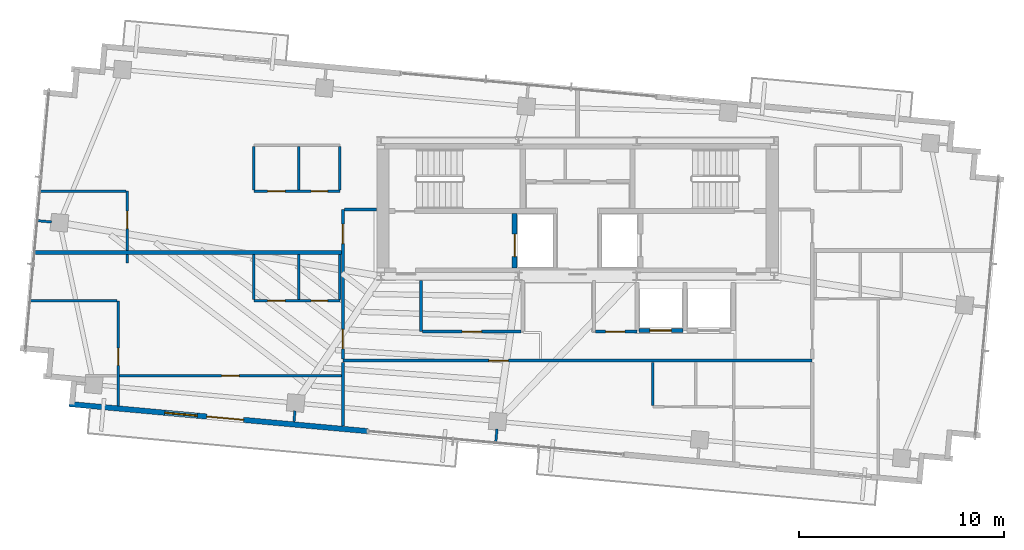
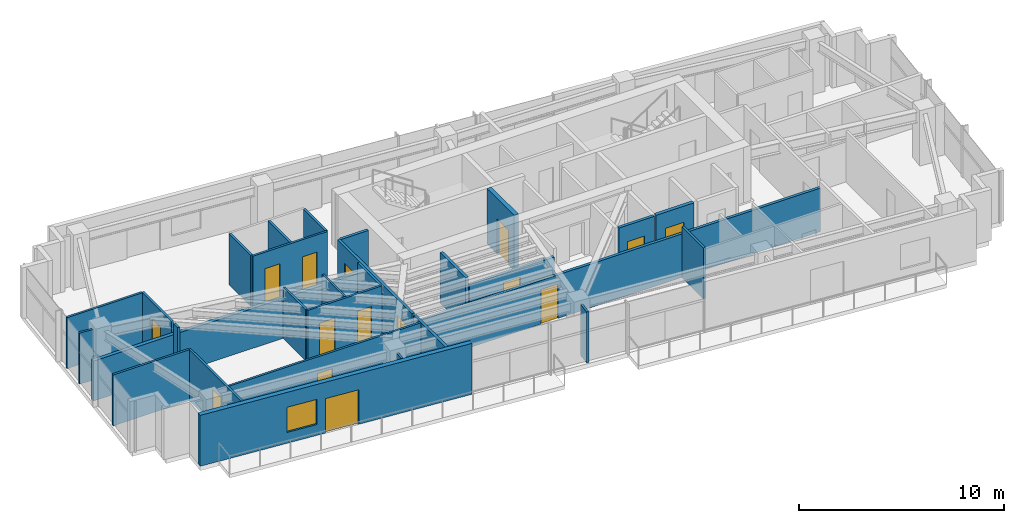
# One storey, part 16 of 22: 29 walls, 15 doors, 1 window, 16 openings.
"""IFC4 building model written with IfcOpenShell, lengths in metres."""

from ifc_helpers import new_model, si_unit, direction, frame, frame_2d, origin, place, context, subcontext, project, spatial, rectangle, extrude, source, transform, mapped, material, layer, layer_set, type_object, type_shapes, element, fill, save


model = new_model("IFC4")

# Units and contexts
model_context = context("Model", 3, precision=1e-05, world=origin(), true_north=direction((0.0, 1.0)))
body_context = subcontext(model_context, "Body", "Model", "MODEL_VIEW")
ifc_project = project(units=[si_unit("LENGTHUNIT", "METRE"), si_unit("AREAUNIT", "SQUARE_METRE"), si_unit("VOLUMEUNIT", "CUBIC_METRE"), si_unit("PLANEANGLEUNIT", "RADIAN"), si_unit("MASSUNIT", "GRAM", prefix="KILO")], contexts=[model_context])

# Site, building, storey
site_placement = place(None, origin())
site = spatial("IfcSite", under=ifc_project, at=site_placement, CompositionType="ELEMENT")
building_placement = place(site_placement, origin())
building = spatial("IfcBuilding", under=site, at=building_placement, Name="Astriad Promenade Condominiums", CompositionType="ELEMENT")
storey_placement = place(building_placement, frame((0.0, 0.0, 249.60009765625)))
storey = spatial("IfcBuildingStorey", under=building, at=storey_placement, Name="L72", CompositionType="ELEMENT", Elevation=249.60009765625)

# Wall, opening, door
ifc_material_1 = material(Name="Concrete C50/60", Category="concrete")
ifc_layer_1 = layer(ifc_material_1, 0.25)
ifc_layer_set_1 = layer_set([ifc_layer_1], Name="Concrete C50/60")
wall_type_1 = type_object("IfcWallType", Name="WALL-CORE-INT-250", PredefinedType="SOLIDWALL", material=ifc_layer_set_1)
wall_1_placement = place(storey_placement, frame((32.925048828125, 17.802001953125, 0.0), z_axis=(0.0, 0.0, 1.0), x_axis=(0.0, 1.0, 0.0)))
wall_1 = element("IfcWall", 1, at=wall_1_placement, inside=storey, type_object=wall_type_1, Name="CW-FFL1-W-L72", PredefinedType="SOLIDWALL", context=body_context, shape_type="SweptSolid", body=[
    extrude(rectangle(XDim=2.64599609375, YDim=0.25, at=frame_2d((1.322998046875, 0.0))), origin(), (0.0, 0.0, 1.0), 3.2998046875),
])
opening_1_placement = place(wall_1_placement, frame((0.548095703125, 0.0, 0.0)))
opening_1 = element("IfcOpeningElement", 2, at=opening_1_placement, cuts=wall_1, Name="Opening LD-FFL-1122", PredefinedType="OPENING", context=body_context, shape_type="SweptSolid", body=[
    extrude(rectangle(XDim=1.10009765625, YDim=2.080078125, at=frame_2d((0.550048828125, 1.0400390625))), frame((0.0, 0.135009765625, 0.0), z_axis=(0.0, -1.0, 0.0), x_axis=(1.0, 0.0, 0.0)), (0.0, 0.0, 1.0), 0.27001953125),
])
ifc_material_2 = material(Name="Brushed Stainless Steel Fire Elevator Landing Door", Category="steel")
door_type_1 = type_object("IfcDoorType", Name="LD-FFL-1122", OperationType="NOTDEFINED", PredefinedType="DOOR", material=ifc_material_2)
shared_shape_1 = source(origin(), body_context, "Body", "SweptSolid", [
    extrude(rectangle(XDim=1.10009765625, YDim=2.080078125, at=frame_2d((0.550048828125, 1.0400390625))), frame((0.0, 0.02490234375, 0.0), z_axis=(0.0, -1.0, 0.0), x_axis=(1.0, 0.0, 0.0)), (0.0, 0.0, 1.0), 0.050048828125),
])
type_shapes(door_type_1, [shared_shape_1])
door_1_placement = place(opening_1_placement, origin())
door_1 = element("IfcDoor", 3, at=door_1_placement, inside=storey, type_object=door_type_1, Name="Elevator Landing Door FFL-1 (L72)", OperationType="SLIDING_TO_LEFT", OverallHeight=2.080078125, OverallWidth=1.10009765625, PredefinedType="DOOR", context=body_context, shape_type="MappedRepresentation", body=[
    mapped(shared_shape_1, transform((0.0, 0.0, 0.0), scale=1.0)),
])
fill(opening_1, door_1)

ifc_material_3 = material(Name="Fire-Rated Gypsum Partition")
ifc_layer_2 = layer(ifc_material_3, 0.159912109375)
ifc_layer_set_2 = layer_set([ifc_layer_2], Name="Fire-Rated Gypsum Partition")
wall_type_2 = type_object("IfcWallType", Name="WALL-CORR-160", PredefinedType="PARTITIONING", material=ifc_layer_set_2)
wall_2_placement = place(storey_placement, frame((24.550048828125, 13.280029296875, 0.0), z_axis=(0.0, 0.0, 1.0), x_axis=(1.0, 0.0, 0.0)))
wall_2 = element("IfcWall", 4, at=wall_2_placement, inside=storey, type_object=wall_type_2, Name="PT-COR-S-L72", PredefinedType="PARTITIONING", context=body_context, shape_type="SweptSolid", body=[
    extrude(rectangle(XDim=22.89990234375, YDim=0.159912109375, at=frame_2d((11.449951171875, 0.0))), origin(), (0.0, 0.0, 1.0), 2.596435546875),
])
opening_2_placement = place(wall_2_placement, frame((7.125, 0.0, 0.0)))
opening_2 = element("IfcOpeningElement", 5, at=opening_2_placement, cuts=wall_2, Name="Opening FD60-APT-095", PredefinedType="OPENING", context=body_context, shape_type="SweptSolid", body=[
    extrude(rectangle(XDim=0.949951171875, YDim=2.06005859375, at=frame_2d((0.47509765625, 1.030029296875))), frame((0.0, 0.08984375, 0.0), z_axis=(0.0, -1.0, 0.0), x_axis=(1.0, 0.0, 0.0)), (0.0, 0.0, 1.0), 0.179931640625),
])
ifc_material_4 = material(Name="Solid-Core Acoustic Timber Residence Entry Door", Category="wood")
door_type_2 = type_object("IfcDoorType", Name="FD60-APT-095", OperationType="NOTDEFINED", PredefinedType="DOOR", material=ifc_material_4)
shared_shape_2 = source(origin(), body_context, "Body", "SweptSolid", [
    extrude(rectangle(XDim=0.949951171875, YDim=2.06005859375, at=frame_2d((0.47509765625, 1.030029296875))), frame((0.0, 0.02490234375, 0.0), z_axis=(0.0, -1.0, 0.0), x_axis=(1.0, 0.0, 0.0)), (0.0, 0.0, 1.0), 0.050048828125),
])
type_shapes(door_type_2, [shared_shape_2])
door_2_placement = place(opening_2_placement, origin())
door_2 = element("IfcDoor", 6, at=door_2_placement, inside=storey, type_object=door_type_2, Name="D-ENT-L72-S1", OperationType="SINGLE_SWING_LEFT", OverallHeight=2.06005859375, OverallWidth=0.949951171875, PredefinedType="DOOR", context=body_context, shape_type="MappedRepresentation", body=[
    mapped(shared_shape_2, transform((0.0, 0.0, 0.0), scale=1.0)),
])
fill(opening_2, door_2)

# Wall
wall_3_placement = place(storey_placement, frame((24.550048828125, 10.0771484375, 0.0), z_axis=(0.0, 0.0, 1.0), x_axis=(0.0, 1.0, 0.0)))
element("IfcWall", 7, at=wall_3_placement, inside=storey, type_object=wall_type_2, Name="PT-COR-W-L72", PredefinedType="PARTITIONING", context=body_context, shape_type="SweptSolid", body=[
    extrude(rectangle(XDim=3.120849609375, YDim=0.159912109375, at=frame_2d((1.560546875, 0.0))), origin(), (0.0, 0.0, 1.0), 3.039794921875),
])

# Wall, openings, doors
wall_4_placement = place(storey_placement, frame((24.550048828125, 13.362060546875, 0.0), z_axis=(0.0, 0.0, 1.0), x_axis=(0.0, 1.0, 0.0)))
wall_4 = element("IfcWall", 8, at=wall_4_placement, inside=storey, type_object=wall_type_2, Name="PT-COR-W-L72-S2", PredefinedType="PARTITIONING", context=body_context, shape_type="SweptSolid", body=[
    extrude(rectangle(XDim=7.287841796875, YDim=0.159912109375, at=frame_2d((3.64404296875, 0.0))), origin(), (0.0, 0.0, 1.0), 3.039794921875),
])
opening_3_placement = place(wall_4_placement, frame((0.492919921875, 0.0, 0.0)))
opening_3 = element("IfcOpeningElement", 9, at=opening_3_placement, cuts=wall_4, Name="Opening FD60-APT-095", PredefinedType="OPENING", context=body_context, shape_type="SweptSolid", body=[
    extrude(rectangle(XDim=0.949951171875, YDim=2.06005859375, at=frame_2d((0.47509765625, 1.030029296875))), frame((0.0, 0.08984375, 0.0), z_axis=(0.0, -1.0, 0.0), x_axis=(1.0, 0.0, 0.0)), (0.0, 0.0, 1.0), 0.179931640625),
])
opening_4_placement = place(wall_4_placement, frame((5.623046875, 0.0, 0.0)))
opening_4 = element("IfcOpeningElement", 10, at=opening_4_placement, cuts=wall_4, Name="Opening FD60-APT-095", PredefinedType="OPENING", context=body_context, shape_type="SweptSolid", body=[
    extrude(rectangle(XDim=0.949951171875, YDim=2.06005859375, at=frame_2d((0.47509765625, 1.030029296875))), frame((0.0, 0.08984375, 0.0), z_axis=(0.0, -1.0, 0.0), x_axis=(1.0, 0.0, 0.0)), (0.0, 0.0, 1.0), 0.179931640625),
])
door_3_placement = place(opening_3_placement, origin())
door_3 = element("IfcDoor", 11, at=door_3_placement, inside=storey, type_object=door_type_2, Name="D-ENT-L72-W1", OperationType="SINGLE_SWING_LEFT", OverallHeight=2.06005859375, OverallWidth=0.949951171875, PredefinedType="DOOR", context=body_context, shape_type="MappedRepresentation", body=[
    mapped(shared_shape_2, transform((0.0, 0.0, 0.0), scale=1.0)),
])
fill(opening_3, door_3)
door_4_placement = place(opening_4_placement, origin())
door_4 = element("IfcDoor", 12, at=door_4_placement, inside=storey, type_object=door_type_2, Name="D-ENT-L72-W2", OperationType="SINGLE_SWING_RIGHT", OverallHeight=2.06005859375, OverallWidth=0.949951171875, PredefinedType="DOOR", context=body_context, shape_type="MappedRepresentation", body=[
    mapped(shared_shape_2, transform((0.0, 0.0, 0.0), scale=1.0)),
])
fill(opening_4, door_4)

# Walls
wall_5_placement = place(storey_placement, frame((24.632080078125, 20.64990234375, 0.0), z_axis=(0.0, 0.0, 1.0), x_axis=(1.0, 0.0, 0.0)))
element("IfcWall", 13, at=wall_5_placement, inside=storey, type_object=wall_type_2, Name="PT-Z3W-N-L72", PredefinedType="PARTITIONING", context=body_context, shape_type="SweptSolid", body=[
    extrude(rectangle(XDim=1.56591796875, YDim=0.159912109375, at=frame_2d((0.782958984375, 0.0))), origin(), (0.0, 0.0, 1.0), 3.039794921875),
])
wall_6_placement = place(storey_placement, frame((28.360107421875, 14.699951171875, 0.0), z_axis=(0.0, 0.0, 1.0), x_axis=(0.0, 1.0, 0.0)))
element("IfcWall", 14, at=wall_6_placement, inside=storey, type_object=wall_type_2, Name="PT-Z3REC-W-L72", PredefinedType="PARTITIONING", context=body_context, shape_type="SweptSolid", body=[
    extrude(rectangle(XDim=2.498046875, YDim=0.159912109375, at=frame_2d((1.2490234375, 0.0))), origin(), (0.0, 0.0, 1.0), 3.039794921875),
])

# Wall, opening, door
wall_7_placement = place(storey_placement, frame((28.44189453125, 14.699951171875, 0.0), z_axis=(0.0, 0.0, 1.0), x_axis=(1.0, 0.0, 0.0)))
wall_7 = element("IfcWall", 15, at=wall_7_placement, inside=storey, type_object=wall_type_2, Name="PT-Z3REC-S-L72", PredefinedType="PARTITIONING", context=body_context, shape_type="SweptSolid", body=[
    extrude(rectangle(XDim=4.796142578125, YDim=0.159912109375, at=frame_2d((2.39794921875, 0.0))), origin(), (0.0, 0.0, 1.0), 2.596435546875),
])
opening_5_placement = place(wall_7_placement, frame((1.923095703125, 0.0, 0.0)))
opening_5 = element("IfcOpeningElement", 16, at=opening_5_placement, cuts=wall_7, Name="Opening FD60-APT-095", PredefinedType="OPENING", context=body_context, shape_type="SweptSolid", body=[
    extrude(rectangle(XDim=0.949951171875, YDim=2.06005859375, at=frame_2d((0.47509765625, 1.030029296875))), frame((0.0, 0.08984375, 0.0), z_axis=(0.0, -1.0, 0.0), x_axis=(1.0, 0.0, 0.0)), (0.0, 0.0, 1.0), 0.179931640625),
])
door_5_placement = place(opening_5_placement, origin())
door_5 = element("IfcDoor", 17, at=door_5_placement, inside=storey, type_object=door_type_2, Name="D-Z3R-L72", OperationType="SINGLE_SWING_LEFT", OverallHeight=2.06005859375, OverallWidth=0.949951171875, PredefinedType="DOOR", context=body_context, shape_type="MappedRepresentation", body=[
    mapped(shared_shape_2, transform((0.0, 0.0, 0.0), scale=1.0)),
])
fill(opening_5, door_5)

wall_8_placement = place(storey_placement, frame((36.882080078125, 14.699951171875, 0.0), z_axis=(0.0, 0.0, 1.0), x_axis=(1.0, 0.0, 0.0)))
wall_8 = element("IfcWall", 18, at=wall_8_placement, inside=storey, type_object=wall_type_2, Name="PT-Z3R2-S-L72", PredefinedType="PARTITIONING", context=body_context, shape_type="SweptSolid", body=[
    extrude(rectangle(XDim=2.017822265625, YDim=0.159912109375, at=frame_2d((1.0087890625, 0.0))), origin(), (0.0, 0.0, 1.0), 3.039794921875),
])
opening_6_placement = place(wall_8_placement, frame((0.48291015625, 0.0, 0.0)))
opening_6 = element("IfcOpeningElement", 19, at=opening_6_placement, cuts=wall_8, Name="Opening FD60-APT-095", PredefinedType="OPENING", context=body_context, shape_type="SweptSolid", body=[
    extrude(rectangle(XDim=0.949951171875, YDim=2.06005859375, at=frame_2d((0.47509765625, 1.030029296875))), frame((0.0, 0.08984375, 0.0), z_axis=(0.0, -1.0, 0.0), x_axis=(1.0, 0.0, 0.0)), (0.0, 0.0, 1.0), 0.179931640625),
])
door_6_placement = place(opening_6_placement, origin())
door_6 = element("IfcDoor", 20, at=door_6_placement, inside=storey, type_object=door_type_2, Name="D-Z3N-L72", OperationType="SINGLE_SWING_RIGHT", OverallHeight=2.06005859375, OverallWidth=0.949951171875, PredefinedType="DOOR", context=body_context, shape_type="MappedRepresentation", body=[
    mapped(shared_shape_2, transform((0.0, 0.0, 0.0), scale=1.0)),
])
fill(opening_6, door_6)

# Wall
ifc_material_5 = material(Name="Acoustic Double-Stud Gypsum Partition")
ifc_layer_3 = layer(ifc_material_5, 0.199951171875)
ifc_layer_set_3 = layer_set([ifc_layer_3], Name="Acoustic Double-Stud Gypsum Partition")
wall_type_3 = type_object("IfcWallType", Name="WALL-DEMISING-200", PredefinedType="PARTITIONING", material=ifc_layer_set_3)
wall_9_placement = place(storey_placement, frame((9.43359375, 18.550048828125, 0.0), z_axis=(0.0, 0.0, 1.0), x_axis=(1.0, 0.0, 0.0)))
element("IfcWall", 21, at=wall_9_placement, inside=storey, type_object=wall_type_3, Name="PT-DEM-WW-L72", PredefinedType="PARTITIONING", context=body_context, shape_type="SweptSolid", body=[
    extrude(rectangle(XDim=15.034423828125, YDim=0.199951171875, at=frame_2d((7.51708984375, 0.0))), origin(), (0.0, 0.0, 1.0), 2.38134765625),
])

# Wall, openings, door, window
ifc_material_6 = material(Name="Precast concrete C50/60", Category="concrete")
ifc_layer_4 = layer(ifc_material_6, 0.260009765625)
ifc_layer_set_4 = layer_set([ifc_layer_4], Name="Precast concrete C50/60")
wall_type_4 = type_object("IfcWallType", Name="WALL-EXT-TWR-260", PredefinedType="STANDARD", material=ifc_layer_set_4)
wall_10_placement = place(storey_placement, frame((25.760986328125, 9.83447265625, 0.0), z_axis=(0.0, 0.0, 1.0), x_axis=(-0.995884584572, 0.090630536861, 0.0)))
wall_10 = element("IfcWall", 22, at=wall_10_placement, inside=storey, type_object=wall_type_4, Name="W-EXT-L72-S2", PredefinedType="STANDARD", context=body_context, shape_type="SweptSolid", body=[
    extrude(rectangle(XDim=14.630126953125, YDim=0.260009765625, at=frame_2d((7.31494140625, 0.0))), origin(), (0.0, 0.0, 1.0), 3.039794921875),
])
opening_7_placement = place(wall_10_placement, frame((6.090087890625, 0.0, 0.0)))
opening_7 = element("IfcOpeningElement", 23, at=opening_7_placement, cuts=wall_10, Name="Opening BD-1822-SLD", PredefinedType="OPENING", context=body_context, shape_type="SweptSolid", body=[
    extrude(rectangle(XDim=1.800048828125, YDim=2.06005859375, at=frame_2d((0.89990234375, 1.030029296875))), frame((0.0, 0.139892578125, 0.0), z_axis=(0.0, -1.0, 0.0), x_axis=(1.0, 0.0, 0.0)), (0.0, 0.0, 1.0), 0.280029296875),
])
opening_8_placement = place(wall_10_placement, frame((8.35009765625, 0.0, 0.64990234375)))
opening_8 = element("IfcOpeningElement", 24, at=opening_8_placement, cuts=wall_10, Name="Opening WIN-TWR-1620", PredefinedType="OPENING", context=body_context, shape_type="SweptSolid", body=[
    extrude(rectangle(XDim=1.60009765625, YDim=1.5, at=frame_2d((0.800048828125, 0.75))), frame((0.0, 0.139892578125, 0.0), z_axis=(0.0, -1.0, 0.0), x_axis=(1.0, 0.0, 0.0)), (0.0, 0.0, 1.0), 0.280029296875),
])
ifc_material_7 = material(Name="Thermally Broken Aluminium Sliding Balcony Door", Category="aluminium")
door_type_3 = type_object("IfcDoorType", Name="BD-1822-SLD", OperationType="NOTDEFINED", PredefinedType="DOOR", material=ifc_material_7)
shared_shape_3 = source(origin(), body_context, "Body", "SweptSolid", [
    extrude(rectangle(XDim=1.800048828125, YDim=2.06005859375, at=frame_2d((0.89990234375, 1.030029296875))), frame((0.0, 0.02490234375, 0.0), z_axis=(0.0, -1.0, 0.0), x_axis=(1.0, 0.0, 0.0)), (0.0, 0.0, 1.0), 0.050048828125),
])
type_shapes(door_type_3, [shared_shape_3])
door_7_placement = place(opening_7_placement, origin())
door_7 = element("IfcDoor", 25, at=door_7_placement, inside=storey, type_object=door_type_3, Name="BD-L72-SW", OperationType="SLIDING_TO_LEFT", OverallHeight=2.06005859375, OverallWidth=1.800048828125, PredefinedType="DOOR", context=body_context, shape_type="MappedRepresentation", body=[
    mapped(shared_shape_3, transform((0.0, 0.0, 0.0), scale=1.0)),
])
fill(opening_7, door_7)
ifc_material_8 = material(Name="Dark Tinted Triple-Glazed Aluminium Window", Category="aluminium")
window_type = type_object("IfcWindowType", Name="WIN-TWR-1620", PartitioningType="SINGLE_PANEL", PredefinedType="WINDOW", material=ifc_material_8)
shared_shape_4 = source(origin(), body_context, "Body", "SweptSolid", [
    extrude(rectangle(XDim=1.60009765625, YDim=1.5, at=frame_2d((0.800048828125, 0.75))), frame((0.0, 0.030029296875, 0.0), z_axis=(0.0, -1.0, 0.0), x_axis=(1.0, 0.0, 0.0)), (0.0, 0.0, 1.0), 0.06005859375),
])
type_shapes(window_type, [shared_shape_4])
window_placement = place(opening_8_placement, origin())
window = element("IfcWindow", 26, at=window_placement, inside=storey, type_object=window_type, Name="WIN-L72-SW", OverallHeight=1.5, OverallWidth=1.60009765625, PartitioningType="SINGLE_PANEL", PredefinedType="WINDOW", context=body_context, shape_type="MappedRepresentation", body=[
    mapped(shared_shape_4, transform((0.0, 0.0, 0.0), scale=1.0)),
])
fill(opening_8, window)

# Wall
ifc_material_9 = material(Name="Acoustic Metal-Stud Gypsum Partition")
ifc_layer_5 = layer(ifc_material_9, 0.1201171875)
ifc_layer_set_5 = layer_set([ifc_layer_5], Name="Acoustic Metal-Stud Gypsum Partition")
wall_type_5 = type_object("IfcWallType", Name="WALL-PART-120", PredefinedType="PARTITIONING", material=ifc_layer_set_5)
wall_11_placement = place(storey_placement, frame((39.669921875, 11.092041015625, 0.0), z_axis=(0.0, 0.0, 1.0), x_axis=(0.0, 1.0, 0.0)))
element("IfcWall", 27, at=wall_11_placement, inside=storey, type_object=wall_type_5, Name="PT-L72-S1-PKW", PredefinedType="PARTITIONING", context=body_context, shape_type="SweptSolid", body=[
    extrude(rectangle(XDim=2.10595703125, YDim=0.1201171875, at=frame_2d((1.052978515625, 0.0))), origin(), (0.0, 0.0, 1.0), 3.039794921875),
])

# Wall, openings, doors
wall_12_placement = place(storey_placement, frame((20.199951171875, 16.199951171875, 0.0), z_axis=(0.0, 0.0, 1.0), x_axis=(1.0, 0.0, 0.0)))
wall_12 = element("IfcWall", 28, at=wall_12_placement, inside=storey, type_object=wall_type_5, Name="PT-L72-W1-PH", PredefinedType="PARTITIONING", context=body_context, shape_type="SweptSolid", body=[
    extrude(rectangle(XDim=4.199951171875, YDim=0.1201171875, at=frame_2d((2.10009765625, 0.0))), origin(), (0.0, 0.0, 1.0), 3.039794921875),
])
opening_9_placement = place(wall_12_placement, frame((0.675048828125, 0.0, 0.0)))
opening_9 = element("IfcOpeningElement", 29, at=opening_9_placement, cuts=wall_12, Name="Opening D-INT-085", PredefinedType="OPENING", context=body_context, shape_type="SweptSolid", body=[
    extrude(rectangle(XDim=0.85009765625, YDim=2.050048828125, at=frame_2d((0.425048828125, 1.02490234375))), frame((0.0, 0.070068359375, 0.0), z_axis=(0.0, -1.0, 0.0), x_axis=(1.0, 0.0, 0.0)), (0.0, 0.0, 1.0), 0.14013671875),
])
opening_10_placement = place(wall_12_placement, frame((2.800048828125, 0.0, 0.0)))
opening_10 = element("IfcOpeningElement", 30, at=opening_10_placement, cuts=wall_12, Name="Opening D-WET-080", PredefinedType="OPENING", context=body_context, shape_type="SweptSolid", body=[
    extrude(rectangle(XDim=0.800048828125, YDim=2.02001953125, at=frame_2d((0.39990234375, 1.010009765625))), frame((0.0, 0.070068359375, 0.0), z_axis=(0.0, -1.0, 0.0), x_axis=(1.0, 0.0, 0.0)), (0.0, 0.0, 1.0), 0.14013671875),
])
ifc_material_10 = material(Name="Moisture-Resistant Timber Bathroom Door", Category="wood")
door_type_4 = type_object("IfcDoorType", Name="D-WET-080", OperationType="NOTDEFINED", PredefinedType="DOOR", material=ifc_material_10)
shared_shape_5 = source(origin(), body_context, "Body", "SweptSolid", [
    extrude(rectangle(XDim=0.800048828125, YDim=2.02001953125, at=frame_2d((0.39990234375, 1.010009765625))), frame((0.0, 0.02490234375, 0.0), z_axis=(0.0, -1.0, 0.0), x_axis=(1.0, 0.0, 0.0)), (0.0, 0.0, 1.0), 0.050048828125),
])
type_shapes(door_type_4, [shared_shape_5])
door_8_placement = place(opening_10_placement, origin())
door_8 = element("IfcDoor", 31, at=door_8_placement, inside=storey, type_object=door_type_4, Name="D-BTH-L72-W1", OperationType="SINGLE_SWING_LEFT", OverallHeight=2.02001953125, OverallWidth=0.800048828125, PredefinedType="DOOR", context=body_context, shape_type="MappedRepresentation", body=[
    mapped(shared_shape_5, transform((0.0, 0.0, 0.0), scale=1.0)),
])
fill(opening_10, door_8)
ifc_material_11 = material(Name="Painted Solid-Core Timber Room Door", Category="wood")
door_type_5 = type_object("IfcDoorType", Name="D-INT-085", OperationType="NOTDEFINED", PredefinedType="DOOR", material=ifc_material_11)
shared_shape_6 = source(origin(), body_context, "Body", "SweptSolid", [
    extrude(rectangle(XDim=0.85009765625, YDim=2.050048828125, at=frame_2d((0.425048828125, 1.02490234375))), frame((0.0, 0.02490234375, 0.0), z_axis=(0.0, -1.0, 0.0), x_axis=(1.0, 0.0, 0.0)), (0.0, 0.0, 1.0), 0.050048828125),
])
type_shapes(door_type_5, [shared_shape_6])
door_9_placement = place(opening_9_placement, origin())
door_9 = element("IfcDoor", 32, at=door_9_placement, inside=storey, type_object=door_type_5, Name="D-KIT-L72-W1", OperationType="SINGLE_SWING_RIGHT", OverallHeight=2.050048828125, OverallWidth=0.85009765625, PredefinedType="DOOR", context=body_context, shape_type="MappedRepresentation", body=[
    mapped(shared_shape_6, transform((0.0, 0.0, 0.0), scale=1.0)),
])
fill(opening_9, door_9)

# Walls
for number, where, z_axis, x_axis, name in (
    (33, (20.199951171875, 16.261962890625, 0.0), (0.0, 0.0, 1.0), (0.0, 1.0, 0.0), "PT-L72-W1-PK1"),
    (34, (22.39990234375, 16.261962890625, 0.0), (0.0, 0.0, 1.0), (0.0, 1.0, 0.0), "PT-L72-W1-PK2"),
    (35, (24.39990234375, 16.261962890625, 0.0), (0.0, 0.0, 1.0), (0.0, 1.0, 0.0), "PT-L72-W1-PK3"),
):
    element("IfcWall", number, at=place(storey_placement, frame(where, z_axis=z_axis, x_axis=x_axis)), inside=storey, type_object=wall_type_5, Name=name, PredefinedType="PARTITIONING", context=body_context, shape_type="SweptSolid", body=[
        extrude(rectangle(XDim=2.18603515625, YDim=0.1201171875, at=frame_2d((1.093017578125, 0.0))), origin(), (0.0, 0.0, 1.0), 3.039794921875),
    ])

# Wall, opening, door
wall_13_placement = place(storey_placement, frame((13.5810546875, 11.075439453125, 0.0), z_axis=(0.0, 0.0, 1.0), x_axis=(0.0, 1.0, 0.0)))
wall_13 = element("IfcWall", 36, at=wall_13_placement, inside=storey, type_object=wall_type_5, Name="PT-L72-W1-CAP1", PredefinedType="PARTITIONING", context=body_context, shape_type="SweptSolid", body=[
    extrude(rectangle(XDim=5.12451171875, YDim=0.1201171875, at=frame_2d((2.562255859375, 0.0))), origin(), (0.0, 0.0, 1.0), 3.039794921875),
])
opening_11_placement = place(wall_13_placement, frame((1.968505859375, 0.0, 0.0)))
opening_11 = element("IfcOpeningElement", 37, at=opening_11_placement, cuts=wall_13, Name="Opening D-INT-085", PredefinedType="OPENING", context=body_context, shape_type="SweptSolid", body=[
    extrude(rectangle(XDim=0.85009765625, YDim=2.050048828125, at=frame_2d((0.425048828125, 1.02490234375))), frame((0.0, 0.070068359375, 0.0), z_axis=(0.0, -1.0, 0.0), x_axis=(1.0, 0.0, 0.0)), (0.0, 0.0, 1.0), 0.14013671875),
])
door_10_placement = place(opening_11_placement, origin())
door_10 = element("IfcDoor", 38, at=door_10_placement, inside=storey, type_object=door_type_5, Name="D-CAP1-L72-W1", OperationType="SINGLE_SWING_RIGHT", OverallHeight=2.050048828125, OverallWidth=0.85009765625, PredefinedType="DOOR", context=body_context, shape_type="MappedRepresentation", body=[
    mapped(shared_shape_6, transform((0.0, 0.0, 0.0), scale=1.0)),
])
fill(opening_11, door_10)

# Wall
wall_14_placement = place(storey_placement, frame((9.219970703125, 16.199951171875, 0.0), z_axis=(0.0, 0.0, 1.0), x_axis=(1.0, 0.0, 0.0)))
element("IfcWall", 39, at=wall_14_placement, inside=storey, type_object=wall_type_5, Name="PT-L72-W1-CAP1H", PredefinedType="PARTITIONING", context=body_context, shape_type="SweptSolid", body=[
    extrude(rectangle(XDim=4.299072265625, YDim=0.1201171875, at=frame_2d((2.1494140625, 0.0))), origin(), (0.0, 0.0, 1.0), 3.039794921875),
])

# Wall, opening, door
wall_15_placement = place(storey_placement, frame((13.64306640625, 12.534912109375, 0.0), z_axis=(0.0, 0.0, 1.0), x_axis=(1.0, 0.0, 0.0)))
wall_15 = element("IfcWall", 40, at=wall_15_placement, inside=storey, type_object=wall_type_5, Name="PT-L72-W1-CAPH2-S2", PredefinedType="PARTITIONING", context=body_context, shape_type="SweptSolid", body=[
    extrude(rectangle(XDim=10.824951171875, YDim=0.1201171875, at=frame_2d((5.41259765625, 0.0))), origin(), (0.0, 0.0, 1.0), 3.039794921875),
])
opening_12_placement = place(wall_15_placement, frame((4.988037109375, 0.0, 0.0)))
opening_12 = element("IfcOpeningElement", 41, at=opening_12_placement, cuts=wall_15, Name="Opening D-INT-085", PredefinedType="OPENING", context=body_context, shape_type="SweptSolid", body=[
    extrude(rectangle(XDim=0.85009765625, YDim=2.050048828125, at=frame_2d((0.425048828125, 1.02490234375))), frame((0.0, 0.070068359375, 0.0), z_axis=(0.0, -1.0, 0.0), x_axis=(1.0, 0.0, 0.0)), (0.0, 0.0, 1.0), 0.14013671875),
])
door_11_placement = place(opening_12_placement, origin())
door_11 = element("IfcDoor", 42, at=door_11_placement, inside=storey, type_object=door_type_5, Name="D-CAPH2-L72-W1", OperationType="SINGLE_SWING_LEFT", OverallHeight=2.050048828125, OverallWidth=0.85009765625, PredefinedType="DOOR", context=body_context, shape_type="MappedRepresentation", body=[
    mapped(shared_shape_6, transform((0.0, 0.0, 0.0), scale=1.0)),
])
fill(opening_12, door_11)

# Wall, openings, doors
wall_16_placement = place(storey_placement, frame((20.199951171875, 21.550048828125, 0.0), z_axis=(0.0, 0.0, 1.0), x_axis=(1.0, 0.0, 0.0)))
wall_16 = element("IfcWall", 43, at=wall_16_placement, inside=storey, type_object=wall_type_5, Name="PT-L72-W2-PH", PredefinedType="PARTITIONING", context=body_context, shape_type="SweptSolid", body=[
    extrude(rectangle(XDim=4.199951171875, YDim=0.1201171875, at=frame_2d((2.10009765625, 0.0))), origin(), (0.0, 0.0, 1.0), 3.039794921875),
])
opening_13_placement = place(wall_16_placement, frame((0.675048828125, 0.0, 0.0)))
opening_13 = element("IfcOpeningElement", 44, at=opening_13_placement, cuts=wall_16, Name="Opening D-INT-085", PredefinedType="OPENING", context=body_context, shape_type="SweptSolid", body=[
    extrude(rectangle(XDim=0.85009765625, YDim=2.050048828125, at=frame_2d((0.425048828125, 1.02490234375))), frame((0.0, 0.070068359375, 0.0), z_axis=(0.0, -1.0, 0.0), x_axis=(1.0, 0.0, 0.0)), (0.0, 0.0, 1.0), 0.14013671875),
])
opening_14_placement = place(wall_16_placement, frame((2.800048828125, 0.0, 0.0)))
opening_14 = element("IfcOpeningElement", 45, at=opening_14_placement, cuts=wall_16, Name="Opening D-WET-080", PredefinedType="OPENING", context=body_context, shape_type="SweptSolid", body=[
    extrude(rectangle(XDim=0.800048828125, YDim=2.02001953125, at=frame_2d((0.39990234375, 1.010009765625))), frame((0.0, 0.070068359375, 0.0), z_axis=(0.0, -1.0, 0.0), x_axis=(1.0, 0.0, 0.0)), (0.0, 0.0, 1.0), 0.14013671875),
])
door_12_placement = place(opening_14_placement, origin())
door_12 = element("IfcDoor", 46, at=door_12_placement, inside=storey, type_object=door_type_4, Name="D-BTH-L72-W2", OperationType="SINGLE_SWING_LEFT", OverallHeight=2.02001953125, OverallWidth=0.800048828125, PredefinedType="DOOR", context=body_context, shape_type="MappedRepresentation", body=[
    mapped(shared_shape_5, transform((0.0, 0.0, 0.0), scale=1.0)),
])
fill(opening_14, door_12)
door_13_placement = place(opening_13_placement, origin())
door_13 = element("IfcDoor", 47, at=door_13_placement, inside=storey, type_object=door_type_5, Name="D-KIT-L72-W2", OperationType="SINGLE_SWING_RIGHT", OverallHeight=2.050048828125, OverallWidth=0.85009765625, PredefinedType="DOOR", context=body_context, shape_type="MappedRepresentation", body=[
    mapped(shared_shape_6, transform((0.0, 0.0, 0.0), scale=1.0)),
])
fill(opening_13, door_13)

# Walls
for number, where, z_axis, x_axis, name in (
    (48, (20.199951171875, 21.612060546875, 0.0), (0.0, 0.0, 1.0), (0.0, 1.0, 0.0), "PT-L72-W2-PK1"),
    (49, (22.39990234375, 21.612060546875, 0.0), (0.0, 0.0, 1.0), (0.0, 1.0, 0.0), "PT-L72-W2-PK2"),
    (50, (24.39990234375, 21.612060546875, 0.0), (0.0, 0.0, 1.0), (0.0, 1.0, 0.0), "PT-L72-W2-PK3"),
):
    element("IfcWall", number, at=place(storey_placement, frame(where, z_axis=z_axis, x_axis=x_axis)), inside=storey, type_object=wall_type_5, Name=name, PredefinedType="PARTITIONING", context=body_context, shape_type="SweptSolid", body=[
        extrude(rectangle(XDim=2.1259765625, YDim=0.1201171875, at=frame_2d((1.06298828125, 0.0))), origin(), (0.0, 0.0, 1.0), 3.039794921875),
    ])
wall_17_placement = place(storey_placement, frame((14.02294921875, 18.050048828125, 0.0), z_axis=(0.0, 0.0, 1.0), x_axis=(0.0, 1.0, 0.0)))
element("IfcWall", 51, at=wall_17_placement, inside=storey, type_object=wall_type_5, Name="PT-L72-W2-CAP1", PredefinedType="PARTITIONING", context=body_context, shape_type="SweptSolid", body=[
    extrude(rectangle(XDim=0.39794921875, YDim=0.1201171875, at=frame_2d((0.198974609375, 0.0))), origin(), (0.0, 0.0, 1.0), 3.039794921875),
])

# Wall, opening, door
wall_18_placement = place(storey_placement, frame((14.02294921875, 18.652099609375, 0.0), z_axis=(0.0, 0.0, 1.0), x_axis=(0.0, 1.0, 0.0)))
wall_18 = element("IfcWall", 52, at=wall_18_placement, inside=storey, type_object=wall_type_5, Name="PT-L72-W2-CAP1-S2", PredefinedType="PARTITIONING", context=body_context, shape_type="SweptSolid", body=[
    extrude(rectangle(XDim=2.89794921875, YDim=0.1201171875, at=frame_2d((1.448974609375, 0.0))), origin(), (0.0, 0.0, 1.0), 3.039794921875),
])
opening_15_placement = place(wall_18_placement, frame((1.072998046875, 0.0, 0.0)))
opening_15 = element("IfcOpeningElement", 53, at=opening_15_placement, cuts=wall_18, Name="Opening D-INT-085", PredefinedType="OPENING", context=body_context, shape_type="SweptSolid", body=[
    extrude(rectangle(XDim=0.85009765625, YDim=2.050048828125, at=frame_2d((0.425048828125, 1.02490234375))), frame((0.0, 0.070068359375, 0.0), z_axis=(0.0, -1.0, 0.0), x_axis=(1.0, 0.0, 0.0)), (0.0, 0.0, 1.0), 0.14013671875),
])
door_14_placement = place(opening_15_placement, origin())
door_14 = element("IfcDoor", 54, at=door_14_placement, inside=storey, type_object=door_type_5, Name="D-CAP1-L72-W2", OperationType="SINGLE_SWING_LEFT", OverallHeight=2.050048828125, OverallWidth=0.85009765625, PredefinedType="DOOR", context=body_context, shape_type="MappedRepresentation", body=[
    mapped(shared_shape_6, transform((0.0, 0.0, 0.0), scale=1.0)),
])
fill(opening_15, door_14)

# Walls
wall_19_placement = place(storey_placement, frame((9.706787109375, 21.550048828125, 0.0), z_axis=(0.0, 0.0, 1.0), x_axis=(1.0, 0.0, 0.0)))
element("IfcWall", 55, at=wall_19_placement, inside=storey, type_object=wall_type_5, Name="PT-L72-W2-CAP1H", PredefinedType="PARTITIONING", context=body_context, shape_type="SweptSolid", body=[
    extrude(rectangle(XDim=4.254150390625, YDim=0.1201171875, at=frame_2d((2.126953125, 0.0))), origin(), (0.0, 0.0, 1.0), 3.039794921875),
])
wall_20_placement = place(storey_placement, frame((22.206787109375, 10.83056640625, 0.0), z_axis=(0.0, 0.0, 1.0), x_axis=(-0.090781299264, -0.995870852924, 0.0)))
element("IfcWall", 56, at=wall_20_placement, inside=storey, type_object=wall_type_5, Name="PT-PIL-L72-PC02-9", PredefinedType="PARTITIONING", context=body_context, shape_type="SweptSolid", body=[
    extrude(rectangle(XDim=0.537841796875, YDim=0.1201171875, at=frame_2d((0.26904296875, 0.0))), origin(), (0.0, 0.0, 1.0), 3.039794921875),
])
wall_21_placement = place(storey_placement, frame((32.06591796875, 9.933349609375, 0.0), z_axis=(0.0, 0.0, 1.0), x_axis=(-0.090872036342, -0.995862577373, 0.0)))
element("IfcWall", 57, at=wall_21_placement, inside=storey, type_object=wall_type_5, Name="PT-PIL-L72-PC03-10", PredefinedType="PARTITIONING", context=body_context, shape_type="SweptSolid", body=[
    extrude(rectangle(XDim=0.719970703125, YDim=0.1201171875, at=frame_2d((0.35986328125, 0.0))), origin(), (0.0, 0.0, 1.0), 3.039794921875),
])
wall_22_placement = place(storey_placement, frame((10.3330078125, 20.044677734375, 0.0), z_axis=(0.0, 0.0, 1.0), x_axis=(-0.995890573658, 0.09056470228, 0.0)))
element("IfcWall", 58, at=wall_22_placement, inside=storey, type_object=wall_type_5, Name="PT-PIL-L72-PC11-18", PredefinedType="PARTITIONING", context=body_context, shape_type="SweptSolid", body=[
    extrude(rectangle(XDim=0.76025390625, YDim=0.1201171875, at=frame_2d((0.380126953125, 0.0))), origin(), (0.0, 0.0, 1.0), 3.039794921875),
])

# Wall, opening, door
ifc_material_12 = material(Name="Gypsum Shaftliner Assembly")
ifc_layer_6 = layer(ifc_material_12, 0.199951171875)
ifc_layer_set_6 = layer_set([ifc_layer_6], Name="Gypsum Shaftliner Assembly")
wall_type_6 = type_object("IfcWallType", Name="WALL-SHAFT-200", PredefinedType="PARTITIONING", material=ifc_layer_set_6)
wall_23_placement = place(storey_placement, frame((39.001953125, 14.75, 0.0), z_axis=(0.0, 0.0, 1.0), x_axis=(1.0, 0.0, 0.0)))
wall_23 = element("IfcWall", 59, at=wall_23_placement, inside=storey, type_object=wall_type_6, Name="PL-H-FRT-L72", PredefinedType="PARTITIONING", context=body_context, shape_type="SweptSolid", body=[
    extrude(rectangle(XDim=2.14599609375, YDim=0.199951171875, at=frame_2d((1.072998046875, 0.0))), origin(), (0.0, 0.0, 1.0), 3.039794921875),
])
opening_16_placement = place(wall_23_placement, frame((0.52294921875, 0.0, 0.0)))
opening_16 = element("IfcOpeningElement", 60, at=opening_16_placement, cuts=wall_23, Name="Opening LD-PL-10522", PredefinedType="OPENING", context=body_context, shape_type="SweptSolid", body=[
    extrude(rectangle(XDim=1.050048828125, YDim=2.080078125, at=frame_2d((0.52490234375, 1.0400390625))), frame((0.0, 0.10986328125, 0.0), z_axis=(0.0, -1.0, 0.0), x_axis=(1.0, 0.0, 0.0)), (0.0, 0.0, 1.0), 0.219970703125),
])
ifc_material_13 = material(Name="Brushed Bronze Passenger Elevator Landing Door")
door_type_6 = type_object("IfcDoorType", Name="LD-PL-10522", OperationType="NOTDEFINED", PredefinedType="DOOR", material=ifc_material_13)
shared_shape_7 = source(origin(), body_context, "Body", "SweptSolid", [
    extrude(rectangle(XDim=1.050048828125, YDim=2.080078125, at=frame_2d((0.52490234375, 1.0400390625))), frame((0.0, 0.02490234375, 0.0), z_axis=(0.0, -1.0, 0.0), x_axis=(1.0, 0.0, 0.0)), (0.0, 0.0, 1.0), 0.050048828125),
])
type_shapes(door_type_6, [shared_shape_7])
door_15_placement = place(opening_16_placement, origin())
door_15 = element("IfcDoor", 61, at=door_15_placement, inside=storey, type_object=door_type_6, Name="Elevator Landing Door PL-H1 (L72)", OperationType="SLIDING_TO_LEFT", OverallHeight=2.080078125, OverallWidth=1.050048828125, PredefinedType="DOOR", context=body_context, shape_type="MappedRepresentation", body=[
    mapped(shared_shape_7, transform((0.0, 0.0, 0.0), scale=1.0)),
])
fill(opening_16, door_15)

save(model, "model.ifc")
